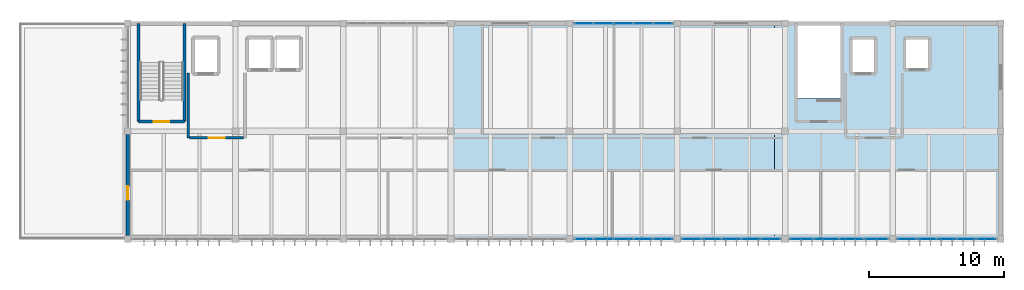
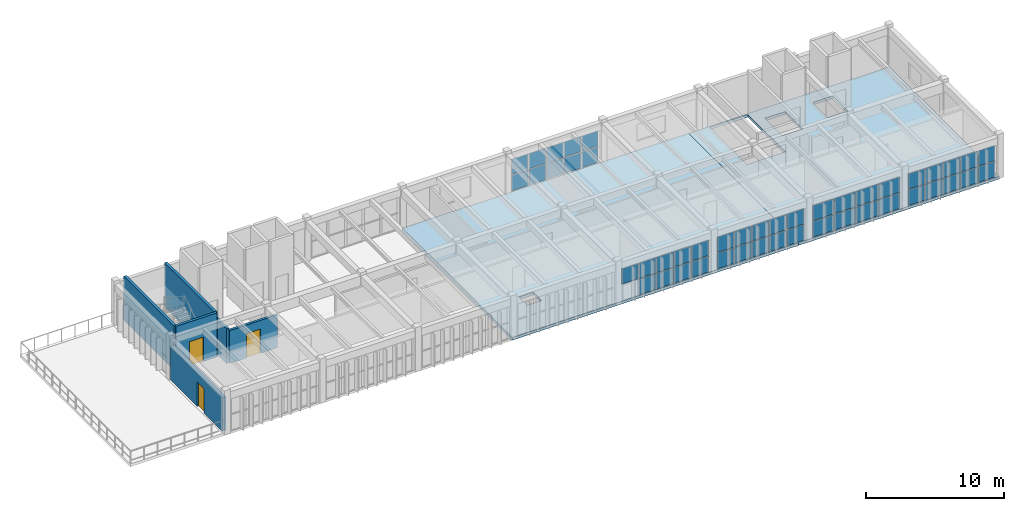
# One storey, part 8 of 12: 47 plates, 6 walls, 3 doors, 2 slabs, 3 openings, 5 elements without a shape of their own.
"""IFC4 building model written with IfcOpenShell, lengths in metres."""

from ifc_helpers import new_model, si_unit, direction, frame, frame_2d, origin, origin_2d, place, context, subcontext, project, spatial, polyline, rectangle, outline, extrude, material, layer, layer_set, type_object, element, fill, aggregate, save


model = new_model("IFC4")

# Units and contexts
model_context = context("Model", 3, precision=1e-05, world=origin(), true_north=direction((0.0, 1.0)))
body_context = subcontext(model_context, "Body", "Model", "MODEL_VIEW")
ifc_project = project(units=[si_unit("LENGTHUNIT", "METRE"), si_unit("AREAUNIT", "SQUARE_METRE"), si_unit("VOLUMEUNIT", "CUBIC_METRE"), si_unit("PLANEANGLEUNIT", "RADIAN"), si_unit("MASSUNIT", "GRAM", prefix="KILO")], contexts=[model_context])

# Site, building, storey
site_placement = place(None, origin())
site = spatial("IfcSite", under=ifc_project, at=site_placement, CompositionType="ELEMENT")
building_placement = place(site_placement, origin())
building = spatial("IfcBuilding", under=site, at=building_placement, Name="Tlaxcora Railside Police Headquarters", CompositionType="ELEMENT")
storey_placement = place(building_placement, frame((0.0, 0.0, 29.699951171875)))
storey = spatial("IfcBuildingStorey", under=building, at=storey_placement, Name="L07", CompositionType="ELEMENT", Elevation=29.699951171875)

# Curtain wall, plates
ifc_material_1 = material(Name="Thermally broken low-E insulated glazing", Category="glass")
curtain_wall_type_1 = type_object("IfcCurtainWallType", Name="Unitised Curtain Wall Assembly CW-23", PredefinedType="NOTDEFINED", material=ifc_material_1)
curtain_wall_1_placement = place(storey_placement, origin())
curtain_wall_1 = element("IfcCurtainWall", 1, at=curtain_wall_1_placement, inside=storey, type_object=curtain_wall_type_1, Name="V5 L07 curtain wall 140", PredefinedType="NOTDEFINED")
ifc_layer_1 = layer(ifc_material_1, 0.0400390625, Name="Thermally broken low-E insulated glazing")
ifc_layer_set_1 = layer_set([ifc_layer_1], Name="Thermally broken low-E insulated glazing")
plate_type_1 = type_object("IfcPlateType", Name="Curtain Wall Infill Panel CW-17", PredefinedType="CURTAIN_PANEL", material=ifc_layer_set_1)
plate_1_placement = place(storey_placement, frame((79.06005859375, 76.800048828125, 0.080078125), z_axis=(0.0, 0.0, 1.0), x_axis=(1.0, 0.0, 0.0)))
plate_1 = element("IfcPlate", 2, at=plate_1_placement, type_object=plate_type_1, Name="CW panel 1.1", PredefinedType="CURTAIN_PANEL", context=body_context, shape_type="SweptSolid", body=[
    extrude(rectangle(XDim=1.360107421875, YDim=0.0400390625, at=origin_2d()), origin(), (0.0, 0.0, 1.0), 1.3701171875),
])
plate_2_placement = place(storey_placement, frame((79.06005859375, 76.800048828125, 1.530029296875), z_axis=(0.0, 0.0, 1.0), x_axis=(1.0, 0.0, 0.0)))
plate_2 = element("IfcPlate", 3, at=plate_2_placement, type_object=plate_type_1, Name="CW panel 1.2", PredefinedType="CURTAIN_PANEL", context=body_context, shape_type="SweptSolid", body=[
    extrude(rectangle(XDim=1.360107421875, YDim=0.0400390625, at=origin_2d()), origin(), (0.0, 0.0, 1.0), 1.35009765625),
])
plate_3_placement = place(storey_placement, frame((80.52001953125, 76.800048828125, 0.080078125), z_axis=(0.0, 0.0, 1.0), x_axis=(1.0, 0.0, 0.0)))
plate_3 = element("IfcPlate", 4, at=plate_3_placement, type_object=plate_type_1, Name="CW panel 2.1", PredefinedType="CURTAIN_PANEL", context=body_context, shape_type="SweptSolid", body=[
    extrude(rectangle(XDim=1.39990234375, YDim=0.0400390625, at=origin_2d()), origin(), (0.0, 0.0, 1.0), 1.3701171875),
])
plate_4_placement = place(storey_placement, frame((80.52001953125, 76.800048828125, 1.530029296875), z_axis=(0.0, 0.0, 1.0), x_axis=(1.0, 0.0, 0.0)))
plate_4 = element("IfcPlate", 5, at=plate_4_placement, type_object=plate_type_1, Name="CW panel 2.2", PredefinedType="CURTAIN_PANEL", context=body_context, shape_type="SweptSolid", body=[
    extrude(rectangle(XDim=1.39990234375, YDim=0.0400390625, at=origin_2d()), origin(), (0.0, 0.0, 1.0), 1.35009765625),
])
plate_5_placement = place(storey_placement, frame((82.0, 76.800048828125, 0.080078125), z_axis=(0.0, 0.0, 1.0), x_axis=(1.0, 0.0, 0.0)))
plate_5 = element("IfcPlate", 6, at=plate_5_placement, type_object=plate_type_1, Name="CW panel 3.1", PredefinedType="CURTAIN_PANEL", context=body_context, shape_type="SweptSolid", body=[
    extrude(rectangle(XDim=1.39990234375, YDim=0.0400390625, at=origin_2d()), origin(), (0.0, 0.0, 1.0), 1.3701171875),
])
plate_6_placement = place(storey_placement, frame((82.0, 76.800048828125, 1.530029296875), z_axis=(0.0, 0.0, 1.0), x_axis=(1.0, 0.0, 0.0)))
plate_6 = element("IfcPlate", 7, at=plate_6_placement, type_object=plate_type_1, Name="CW panel 3.2", PredefinedType="CURTAIN_PANEL", context=body_context, shape_type="SweptSolid", body=[
    extrude(rectangle(XDim=1.39990234375, YDim=0.0400390625, at=origin_2d()), origin(), (0.0, 0.0, 1.0), 1.35009765625),
])
plate_7_placement = place(storey_placement, frame((83.47998046875, 76.800048828125, 0.080078125), z_axis=(0.0, 0.0, 1.0), x_axis=(1.0, 0.0, 0.0)))
plate_7 = element("IfcPlate", 8, at=plate_7_placement, type_object=plate_type_1, Name="CW panel 4.1", PredefinedType="CURTAIN_PANEL", context=body_context, shape_type="SweptSolid", body=[
    extrude(rectangle(XDim=1.39990234375, YDim=0.0400390625, at=origin_2d()), origin(), (0.0, 0.0, 1.0), 1.3701171875),
])
plate_8_placement = place(storey_placement, frame((83.47998046875, 76.800048828125, 1.530029296875), z_axis=(0.0, 0.0, 1.0), x_axis=(1.0, 0.0, 0.0)))
plate_8 = element("IfcPlate", 9, at=plate_8_placement, type_object=plate_type_1, Name="CW panel 4.2", PredefinedType="CURTAIN_PANEL", context=body_context, shape_type="SweptSolid", body=[
    extrude(rectangle(XDim=1.39990234375, YDim=0.0400390625, at=origin_2d()), origin(), (0.0, 0.0, 1.0), 1.35009765625),
])
plate_9_placement = place(storey_placement, frame((84.93994140625, 76.800048828125, 0.080078125), z_axis=(0.0, 0.0, 1.0), x_axis=(1.0, 0.0, 0.0)))
plate_9 = element("IfcPlate", 10, at=plate_9_placement, type_object=plate_type_1, Name="CW panel 5.1", PredefinedType="CURTAIN_PANEL", context=body_context, shape_type="SweptSolid", body=[
    extrude(rectangle(XDim=1.360107421875, YDim=0.0400390625, at=origin_2d()), origin(), (0.0, 0.0, 1.0), 1.3701171875),
])
plate_10_placement = place(storey_placement, frame((84.93994140625, 76.800048828125, 1.530029296875), z_axis=(0.0, 0.0, 1.0), x_axis=(1.0, 0.0, 0.0)))
plate_10 = element("IfcPlate", 11, at=plate_10_placement, type_object=plate_type_1, Name="CW panel 5.2", PredefinedType="CURTAIN_PANEL", context=body_context, shape_type="SweptSolid", body=[
    extrude(rectangle(XDim=1.360107421875, YDim=0.0400390625, at=origin_2d()), origin(), (0.0, 0.0, 1.0), 1.35009765625),
])
aggregate(curtain_wall_1, [plate_1, plate_2, plate_3, plate_4, plate_5, plate_6, plate_7, plate_8, plate_9, plate_10])

curtain_wall_type_2 = type_object("IfcCurtainWallType", Name="Unitised Curtain Wall Assembly CW-15", PredefinedType="NOTDEFINED", material=ifc_material_1)
curtain_wall_2_placement = place(storey_placement, origin())
curtain_wall_2 = element("IfcCurtainWall", 12, at=curtain_wall_2_placement, inside=storey, type_object=curtain_wall_type_2, Name="V5 L07 curtain wall 138", PredefinedType="NOTDEFINED")
ifc_layer_2 = layer(ifc_material_1, 0.031982421875, Name="Thermally broken low-E insulated glazing")
ifc_layer_set_2 = layer_set([ifc_layer_2], Name="Thermally broken low-E insulated glazing")
plate_type_2 = type_object("IfcPlateType", Name="Curtain Wall Infill Panel CW-41", PredefinedType="CURTAIN_PANEL", material=ifc_layer_set_2)
plate_11_placement = place(storey_placement, frame((63.058837890625, 76.800048828125, 0.0751953125), z_axis=(0.0, 0.0, 1.0), x_axis=(1.0, 0.0, 0.0)))
plate_11 = element("IfcPlate", 13, at=plate_11_placement, type_object=plate_type_2, Name="CW panel 1.1", PredefinedType="CURTAIN_PANEL", context=body_context, shape_type="SweptSolid", body=[
    extrude(rectangle(XDim=1.367431640625, YDim=0.031982421875, at=origin_2d()), origin(), (0.0, 0.0, 1.0), 1.37744140625),
])
plate_12_placement = place(storey_placement, frame((63.058837890625, 76.800048828125, 1.527587890625), z_axis=(0.0, 0.0, 1.0), x_axis=(1.0, 0.0, 0.0)))
plate_12 = element("IfcPlate", 14, at=plate_12_placement, type_object=plate_type_2, Name="CW panel 1.2", PredefinedType="CURTAIN_PANEL", context=body_context, shape_type="SweptSolid", body=[
    extrude(rectangle(XDim=1.367431640625, YDim=0.031982421875, at=origin_2d()), origin(), (0.0, 0.0, 1.0), 1.357421875),
])
plate_13_placement = place(storey_placement, frame((64.52001953125, 76.800048828125, 0.0751953125), z_axis=(0.0, 0.0, 1.0), x_axis=(1.0, 0.0, 0.0)))
plate_13 = element("IfcPlate", 15, at=plate_13_placement, type_object=plate_type_2, Name="CW panel 2.1", PredefinedType="CURTAIN_PANEL", context=body_context, shape_type="SweptSolid", body=[
    extrude(rectangle(XDim=1.405029296875, YDim=0.031982421875, at=origin_2d()), origin(), (0.0, 0.0, 1.0), 1.37744140625),
])
plate_14_placement = place(storey_placement, frame((64.52001953125, 76.800048828125, 1.527587890625), z_axis=(0.0, 0.0, 1.0), x_axis=(1.0, 0.0, 0.0)))
plate_14 = element("IfcPlate", 16, at=plate_14_placement, type_object=plate_type_2, Name="CW panel 2.2", PredefinedType="CURTAIN_PANEL", context=body_context, shape_type="SweptSolid", body=[
    extrude(rectangle(XDim=1.405029296875, YDim=0.031982421875, at=origin_2d()), origin(), (0.0, 0.0, 1.0), 1.357421875),
])
plate_15_placement = place(storey_placement, frame((66.0, 76.800048828125, 0.0751953125), z_axis=(0.0, 0.0, 1.0), x_axis=(1.0, 0.0, 0.0)))
plate_15 = element("IfcPlate", 17, at=plate_15_placement, type_object=plate_type_2, Name="CW panel 3.1", PredefinedType="CURTAIN_PANEL", context=body_context, shape_type="SweptSolid", body=[
    extrude(rectangle(XDim=1.405029296875, YDim=0.031982421875, at=origin_2d()), origin(), (0.0, 0.0, 1.0), 1.37744140625),
])
plate_16_placement = place(storey_placement, frame((66.0, 76.800048828125, 1.527587890625), z_axis=(0.0, 0.0, 1.0), x_axis=(1.0, 0.0, 0.0)))
plate_16 = element("IfcPlate", 18, at=plate_16_placement, type_object=plate_type_2, Name="CW panel 3.2", PredefinedType="CURTAIN_PANEL", context=body_context, shape_type="SweptSolid", body=[
    extrude(rectangle(XDim=1.405029296875, YDim=0.031982421875, at=origin_2d()), origin(), (0.0, 0.0, 1.0), 1.357421875),
])
plate_17_placement = place(storey_placement, frame((67.47998046875, 76.800048828125, 0.0751953125), z_axis=(0.0, 0.0, 1.0), x_axis=(1.0, 0.0, 0.0)))
plate_17 = element("IfcPlate", 19, at=plate_17_placement, type_object=plate_type_2, Name="CW panel 4.1", PredefinedType="CURTAIN_PANEL", context=body_context, shape_type="SweptSolid", body=[
    extrude(rectangle(XDim=1.405029296875, YDim=0.031982421875, at=origin_2d()), origin(), (0.0, 0.0, 1.0), 1.37744140625),
])
plate_18_placement = place(storey_placement, frame((67.47998046875, 76.800048828125, 1.527587890625), z_axis=(0.0, 0.0, 1.0), x_axis=(1.0, 0.0, 0.0)))
plate_18 = element("IfcPlate", 20, at=plate_18_placement, type_object=plate_type_2, Name="CW panel 4.2", PredefinedType="CURTAIN_PANEL", context=body_context, shape_type="SweptSolid", body=[
    extrude(rectangle(XDim=1.405029296875, YDim=0.031982421875, at=origin_2d()), origin(), (0.0, 0.0, 1.0), 1.357421875),
])
plate_19_placement = place(storey_placement, frame((68.941162109375, 76.800048828125, 0.0751953125), z_axis=(0.0, 0.0, 1.0), x_axis=(1.0, 0.0, 0.0)))
plate_19 = element("IfcPlate", 21, at=plate_19_placement, type_object=plate_type_2, Name="CW panel 5.1", PredefinedType="CURTAIN_PANEL", context=body_context, shape_type="SweptSolid", body=[
    extrude(rectangle(XDim=1.367431640625, YDim=0.031982421875, at=origin_2d()), origin(), (0.0, 0.0, 1.0), 1.37744140625),
])
plate_20_placement = place(storey_placement, frame((68.941162109375, 76.800048828125, 1.527587890625), z_axis=(0.0, 0.0, 1.0), x_axis=(1.0, 0.0, 0.0)))
plate_20 = element("IfcPlate", 22, at=plate_20_placement, type_object=plate_type_2, Name="CW panel 5.2", PredefinedType="CURTAIN_PANEL", context=body_context, shape_type="SweptSolid", body=[
    extrude(rectangle(XDim=1.367431640625, YDim=0.031982421875, at=origin_2d()), origin(), (0.0, 0.0, 1.0), 1.357421875),
])
aggregate(curtain_wall_2, [plate_11, plate_12, plate_13, plate_14, plate_15, plate_16, plate_17, plate_18, plate_19, plate_20])

curtain_wall_type_3 = type_object("IfcCurtainWallType", Name="Unitised Curtain Wall Assembly CW-83", PredefinedType="NOTDEFINED", material=ifc_material_1)
curtain_wall_3_placement = place(storey_placement, origin())
curtain_wall_3 = element("IfcCurtainWall", 23, at=curtain_wall_3_placement, inside=storey, type_object=curtain_wall_type_3, Name="V5 L07 curtain wall 139", PredefinedType="NOTDEFINED")
ifc_layer_3 = layer(ifc_material_1, 0.035888671875, Name="Thermally broken low-E insulated glazing")
ifc_layer_set_3 = layer_set([ifc_layer_3], Name="Thermally broken low-E insulated glazing")
plate_type_3 = type_object("IfcPlateType", Name="Curtain Wall Infill Panel CW-72", PredefinedType="CURTAIN_PANEL", material=ifc_layer_set_3)
plate_21_placement = place(storey_placement, frame((71.2451171875, 76.800048828125, 0.080078125), z_axis=(0.0, 0.0, 1.0), x_axis=(1.0, 0.0, 0.0)))
plate_21 = element("IfcPlate", 24, at=plate_21_placement, type_object=plate_type_3, Name="CW panel 1.1", PredefinedType="CURTAIN_PANEL", context=body_context, shape_type="SweptSolid", body=[
    extrude(rectangle(XDim=1.72998046875, YDim=0.035888671875, at=origin_2d()), origin(), (0.0, 0.0, 1.0), 1.3701171875),
])
plate_22_placement = place(storey_placement, frame((71.2451171875, 76.800048828125, 1.530029296875), z_axis=(0.0, 0.0, 1.0), x_axis=(1.0, 0.0, 0.0)))
plate_22 = element("IfcPlate", 25, at=plate_22_placement, type_object=plate_type_3, Name="CW panel 1.2", PredefinedType="CURTAIN_PANEL", context=body_context, shape_type="SweptSolid", body=[
    extrude(rectangle(XDim=1.72998046875, YDim=0.035888671875, at=origin_2d()), origin(), (0.0, 0.0, 1.0), 1.35009765625),
])
plate_23_placement = place(storey_placement, frame((73.074951171875, 76.800048828125, 0.080078125), z_axis=(0.0, 0.0, 1.0), x_axis=(1.0, 0.0, 0.0)))
plate_23 = element("IfcPlate", 26, at=plate_23_placement, type_object=plate_type_3, Name="CW panel 2.1", PredefinedType="CURTAIN_PANEL", context=body_context, shape_type="SweptSolid", body=[
    extrude(rectangle(XDim=1.77001953125, YDim=0.035888671875, at=origin_2d()), origin(), (0.0, 0.0, 1.0), 1.3701171875),
])
plate_24_placement = place(storey_placement, frame((73.074951171875, 76.800048828125, 1.530029296875), z_axis=(0.0, 0.0, 1.0), x_axis=(1.0, 0.0, 0.0)))
plate_24 = element("IfcPlate", 27, at=plate_24_placement, type_object=plate_type_3, Name="CW panel 2.2", PredefinedType="CURTAIN_PANEL", context=body_context, shape_type="SweptSolid", body=[
    extrude(rectangle(XDim=1.77001953125, YDim=0.035888671875, at=origin_2d()), origin(), (0.0, 0.0, 1.0), 1.35009765625),
])
plate_25_placement = place(storey_placement, frame((74.925048828125, 76.800048828125, 0.080078125), z_axis=(0.0, 0.0, 1.0), x_axis=(1.0, 0.0, 0.0)))
plate_25 = element("IfcPlate", 28, at=plate_25_placement, type_object=plate_type_3, Name="CW panel 3.1", PredefinedType="CURTAIN_PANEL", context=body_context, shape_type="SweptSolid", body=[
    extrude(rectangle(XDim=1.77001953125, YDim=0.035888671875, at=origin_2d()), origin(), (0.0, 0.0, 1.0), 1.3701171875),
])
plate_26_placement = place(storey_placement, frame((74.925048828125, 76.800048828125, 1.530029296875), z_axis=(0.0, 0.0, 1.0), x_axis=(1.0, 0.0, 0.0)))
plate_26 = element("IfcPlate", 29, at=plate_26_placement, type_object=plate_type_3, Name="CW panel 3.2", PredefinedType="CURTAIN_PANEL", context=body_context, shape_type="SweptSolid", body=[
    extrude(rectangle(XDim=1.77001953125, YDim=0.035888671875, at=origin_2d()), origin(), (0.0, 0.0, 1.0), 1.35009765625),
])
plate_27_placement = place(storey_placement, frame((76.7548828125, 76.800048828125, 0.080078125), z_axis=(0.0, 0.0, 1.0), x_axis=(1.0, 0.0, 0.0)))
plate_27 = element("IfcPlate", 30, at=plate_27_placement, type_object=plate_type_3, Name="CW panel 4.1", PredefinedType="CURTAIN_PANEL", context=body_context, shape_type="SweptSolid", body=[
    extrude(rectangle(XDim=1.72998046875, YDim=0.035888671875, at=origin_2d()), origin(), (0.0, 0.0, 1.0), 1.3701171875),
])
plate_28_placement = place(storey_placement, frame((76.7548828125, 76.800048828125, 1.530029296875), z_axis=(0.0, 0.0, 1.0), x_axis=(1.0, 0.0, 0.0)))
plate_28 = element("IfcPlate", 31, at=plate_28_placement, type_object=plate_type_3, Name="CW panel 4.2", PredefinedType="CURTAIN_PANEL", context=body_context, shape_type="SweptSolid", body=[
    extrude(rectangle(XDim=1.72998046875, YDim=0.035888671875, at=origin_2d()), origin(), (0.0, 0.0, 1.0), 1.35009765625),
])
aggregate(curtain_wall_3, [plate_21, plate_22, plate_23, plate_24, plate_25, plate_26, plate_27, plate_28])

curtain_wall_type_4 = type_object("IfcCurtainWallType", Name="Unitised Curtain Wall Assembly CW-38", PredefinedType="NOTDEFINED", material=ifc_material_1)
curtain_wall_4_placement = place(storey_placement, origin())
curtain_wall_4 = element("IfcCurtainWall", 32, at=curtain_wall_4_placement, inside=storey, type_object=curtain_wall_type_4, Name="V5 L07 curtain wall 137", PredefinedType="NOTDEFINED")
ifc_layer_4 = layer(ifc_material_1, 0.028076171875, Name="Thermally broken low-E insulated glazing")
ifc_layer_set_4 = layer_set([ifc_layer_4], Name="Thermally broken low-E insulated glazing")
plate_type_4 = type_object("IfcPlateType", Name="Curtain Wall Infill Panel CW-92", PredefinedType="CURTAIN_PANEL", material=ifc_layer_set_4)
plate_29_placement = place(storey_placement, frame((55.058837890625, 76.800048828125, 1.527587890625), z_axis=(0.0, 0.0, 1.0), x_axis=(1.0, 0.0, 0.0)))
plate_29 = element("IfcPlate", 33, at=plate_29_placement, type_object=plate_type_4, Name="CW panel 1.2", PredefinedType="CURTAIN_PANEL", context=body_context, shape_type="SweptSolid", body=[
    extrude(rectangle(XDim=1.367431640625, YDim=0.028076171875, at=origin_2d()), origin(), (0.0, 0.0, 1.0), 1.357421875),
])
plate_30_placement = place(storey_placement, frame((56.52001953125, 76.800048828125, 0.0751953125), z_axis=(0.0, 0.0, 1.0), x_axis=(1.0, 0.0, 0.0)))
plate_30 = element("IfcPlate", 34, at=plate_30_placement, type_object=plate_type_4, Name="CW panel 2.1", PredefinedType="CURTAIN_PANEL", context=body_context, shape_type="SweptSolid", body=[
    extrude(rectangle(XDim=1.405029296875, YDim=0.028076171875, at=origin_2d()), origin(), (0.0, 0.0, 1.0), 1.37744140625),
])
plate_31_placement = place(storey_placement, frame((56.52001953125, 76.800048828125, 1.527587890625), z_axis=(0.0, 0.0, 1.0), x_axis=(1.0, 0.0, 0.0)))
plate_31 = element("IfcPlate", 35, at=plate_31_placement, type_object=plate_type_4, Name="CW panel 2.2", PredefinedType="CURTAIN_PANEL", context=body_context, shape_type="SweptSolid", body=[
    extrude(rectangle(XDim=1.405029296875, YDim=0.028076171875, at=origin_2d()), origin(), (0.0, 0.0, 1.0), 1.357421875),
])
plate_32_placement = place(storey_placement, frame((58.0, 76.800048828125, 0.0751953125), z_axis=(0.0, 0.0, 1.0), x_axis=(1.0, 0.0, 0.0)))
plate_32 = element("IfcPlate", 36, at=plate_32_placement, type_object=plate_type_4, Name="CW panel 3.1", PredefinedType="CURTAIN_PANEL", context=body_context, shape_type="SweptSolid", body=[
    extrude(rectangle(XDim=1.405029296875, YDim=0.028076171875, at=origin_2d()), origin(), (0.0, 0.0, 1.0), 1.37744140625),
])
plate_33_placement = place(storey_placement, frame((58.0, 76.800048828125, 1.527587890625), z_axis=(0.0, 0.0, 1.0), x_axis=(1.0, 0.0, 0.0)))
plate_33 = element("IfcPlate", 37, at=plate_33_placement, type_object=plate_type_4, Name="CW panel 3.2", PredefinedType="CURTAIN_PANEL", context=body_context, shape_type="SweptSolid", body=[
    extrude(rectangle(XDim=1.405029296875, YDim=0.028076171875, at=origin_2d()), origin(), (0.0, 0.0, 1.0), 1.357421875),
])
plate_34_placement = place(storey_placement, frame((59.47998046875, 76.800048828125, 0.0751953125), z_axis=(0.0, 0.0, 1.0), x_axis=(1.0, 0.0, 0.0)))
plate_34 = element("IfcPlate", 38, at=plate_34_placement, type_object=plate_type_4, Name="CW panel 4.1", PredefinedType="CURTAIN_PANEL", context=body_context, shape_type="SweptSolid", body=[
    extrude(rectangle(XDim=1.405029296875, YDim=0.028076171875, at=origin_2d()), origin(), (0.0, 0.0, 1.0), 1.37744140625),
])
plate_35_placement = place(storey_placement, frame((59.47998046875, 76.800048828125, 1.527587890625), z_axis=(0.0, 0.0, 1.0), x_axis=(1.0, 0.0, 0.0)))
plate_35 = element("IfcPlate", 39, at=plate_35_placement, type_object=plate_type_4, Name="CW panel 4.2", PredefinedType="CURTAIN_PANEL", context=body_context, shape_type="SweptSolid", body=[
    extrude(rectangle(XDim=1.405029296875, YDim=0.028076171875, at=origin_2d()), origin(), (0.0, 0.0, 1.0), 1.357421875),
])
plate_36_placement = place(storey_placement, frame((60.941162109375, 76.800048828125, 0.0751953125), z_axis=(0.0, 0.0, 1.0), x_axis=(1.0, 0.0, 0.0)))
plate_36 = element("IfcPlate", 40, at=plate_36_placement, type_object=plate_type_4, Name="CW panel 5.1", PredefinedType="CURTAIN_PANEL", context=body_context, shape_type="SweptSolid", body=[
    extrude(rectangle(XDim=1.367431640625, YDim=0.028076171875, at=origin_2d()), origin(), (0.0, 0.0, 1.0), 1.37744140625),
])
plate_37_placement = place(storey_placement, frame((60.941162109375, 76.800048828125, 1.527587890625), z_axis=(0.0, 0.0, 1.0), x_axis=(1.0, 0.0, 0.0)))
plate_37 = element("IfcPlate", 41, at=plate_37_placement, type_object=plate_type_4, Name="CW panel 5.2", PredefinedType="CURTAIN_PANEL", context=body_context, shape_type="SweptSolid", body=[
    extrude(rectangle(XDim=1.367431640625, YDim=0.028076171875, at=origin_2d()), origin(), (0.0, 0.0, 1.0), 1.357421875),
])
aggregate(curtain_wall_4, [plate_29, plate_30, plate_31, plate_32, plate_33, plate_34, plate_35, plate_36, plate_37])

curtain_wall_5_placement = place(storey_placement, origin())
curtain_wall_5 = element("IfcCurtainWall", 42, at=curtain_wall_5_placement, inside=storey, type_object=curtain_wall_type_4, Name="V5 L07 curtain wall 141", PredefinedType="NOTDEFINED")
plate_38_placement = place(storey_placement, frame((60.941162109375, 92.800048828125, 0.0751953125), z_axis=(0.0, 0.0, 1.0), x_axis=(-1.0, 0.0, 0.0)))
plate_38 = element("IfcPlate", 43, at=plate_38_placement, type_object=plate_type_4, Name="CW panel 1.1", PredefinedType="CURTAIN_PANEL", context=body_context, shape_type="SweptSolid", body=[
    extrude(rectangle(XDim=1.367431640625, YDim=0.028076171875, at=origin_2d()), origin(), (0.0, 0.0, 1.0), 1.37744140625),
])
plate_39_placement = place(storey_placement, frame((60.941162109375, 92.800048828125, 1.527587890625), z_axis=(0.0, 0.0, 1.0), x_axis=(-1.0, 0.0, 0.0)))
plate_39 = element("IfcPlate", 44, at=plate_39_placement, type_object=plate_type_4, Name="CW panel 1.2", PredefinedType="CURTAIN_PANEL", context=body_context, shape_type="SweptSolid", body=[
    extrude(rectangle(XDim=1.367431640625, YDim=0.028076171875, at=origin_2d()), origin(), (0.0, 0.0, 1.0), 1.357421875),
])
plate_40_placement = place(storey_placement, frame((59.47998046875, 92.800048828125, 0.0751953125), z_axis=(0.0, 0.0, 1.0), x_axis=(-1.0, 0.0, 0.0)))
plate_40 = element("IfcPlate", 45, at=plate_40_placement, type_object=plate_type_4, Name="CW panel 2.1", PredefinedType="CURTAIN_PANEL", context=body_context, shape_type="SweptSolid", body=[
    extrude(rectangle(XDim=1.405029296875, YDim=0.028076171875, at=origin_2d()), origin(), (0.0, 0.0, 1.0), 1.37744140625),
])
plate_41_placement = place(storey_placement, frame((59.47998046875, 92.800048828125, 1.527587890625), z_axis=(0.0, 0.0, 1.0), x_axis=(-1.0, 0.0, 0.0)))
plate_41 = element("IfcPlate", 46, at=plate_41_placement, type_object=plate_type_4, Name="CW panel 2.2", PredefinedType="CURTAIN_PANEL", context=body_context, shape_type="SweptSolid", body=[
    extrude(rectangle(XDim=1.405029296875, YDim=0.028076171875, at=origin_2d()), origin(), (0.0, 0.0, 1.0), 1.357421875),
])
plate_42_placement = place(storey_placement, frame((58.0, 92.800048828125, 0.0751953125), z_axis=(0.0, 0.0, 1.0), x_axis=(-1.0, 0.0, 0.0)))
plate_42 = element("IfcPlate", 47, at=plate_42_placement, type_object=plate_type_4, Name="CW panel 3.1", PredefinedType="CURTAIN_PANEL", context=body_context, shape_type="SweptSolid", body=[
    extrude(rectangle(XDim=1.405029296875, YDim=0.028076171875, at=origin_2d()), origin(), (0.0, 0.0, 1.0), 1.37744140625),
])
plate_43_placement = place(storey_placement, frame((58.0, 92.800048828125, 1.527587890625), z_axis=(0.0, 0.0, 1.0), x_axis=(-1.0, 0.0, 0.0)))
plate_43 = element("IfcPlate", 48, at=plate_43_placement, type_object=plate_type_4, Name="CW panel 3.2", PredefinedType="CURTAIN_PANEL", context=body_context, shape_type="SweptSolid", body=[
    extrude(rectangle(XDim=1.405029296875, YDim=0.028076171875, at=origin_2d()), origin(), (0.0, 0.0, 1.0), 1.357421875),
])
plate_44_placement = place(storey_placement, frame((56.52001953125, 92.800048828125, 0.0751953125), z_axis=(0.0, 0.0, 1.0), x_axis=(-1.0, 0.0, 0.0)))
plate_44 = element("IfcPlate", 49, at=plate_44_placement, type_object=plate_type_4, Name="CW panel 4.1", PredefinedType="CURTAIN_PANEL", context=body_context, shape_type="SweptSolid", body=[
    extrude(rectangle(XDim=1.405029296875, YDim=0.028076171875, at=origin_2d()), origin(), (0.0, 0.0, 1.0), 1.37744140625),
])
plate_45_placement = place(storey_placement, frame((56.52001953125, 92.800048828125, 1.527587890625), z_axis=(0.0, 0.0, 1.0), x_axis=(-1.0, 0.0, 0.0)))
plate_45 = element("IfcPlate", 50, at=plate_45_placement, type_object=plate_type_4, Name="CW panel 4.2", PredefinedType="CURTAIN_PANEL", context=body_context, shape_type="SweptSolid", body=[
    extrude(rectangle(XDim=1.405029296875, YDim=0.028076171875, at=origin_2d()), origin(), (0.0, 0.0, 1.0), 1.357421875),
])
plate_46_placement = place(storey_placement, frame((55.058837890625, 92.800048828125, 0.0751953125), z_axis=(0.0, 0.0, 1.0), x_axis=(-1.0, 0.0, 0.0)))
plate_46 = element("IfcPlate", 51, at=plate_46_placement, type_object=plate_type_4, Name="CW panel 5.1", PredefinedType="CURTAIN_PANEL", context=body_context, shape_type="SweptSolid", body=[
    extrude(rectangle(XDim=1.367431640625, YDim=0.028076171875, at=origin_2d()), origin(), (0.0, 0.0, 1.0), 1.37744140625),
])
plate_47_placement = place(storey_placement, frame((55.058837890625, 92.800048828125, 1.527587890625), z_axis=(0.0, 0.0, 1.0), x_axis=(-1.0, 0.0, 0.0)))
plate_47 = element("IfcPlate", 52, at=plate_47_placement, type_object=plate_type_4, Name="CW panel 5.2", PredefinedType="CURTAIN_PANEL", context=body_context, shape_type="SweptSolid", body=[
    extrude(rectangle(XDim=1.367431640625, YDim=0.028076171875, at=origin_2d()), origin(), (0.0, 0.0, 1.0), 1.357421875),
])
aggregate(curtain_wall_5, [plate_38, plate_39, plate_40, plate_41, plate_42, plate_43, plate_44, plate_45, plate_46, plate_47])

# Slabs
ifc_material_2 = material(Name="Concrete C35/45", Category="concrete")
ifc_layer_5 = layer(ifc_material_2, 0.239990234375, Name="Concrete C35/45")
ifc_layer_set_5 = layer_set([ifc_layer_5], Name="Concrete C35/45")
slab_type = type_object("IfcSlabType", Name="Suspended Floor Slab SL-49", PredefinedType="FLOOR", material=ifc_layer_set_5)
slab_1_placement = place(storey_placement, frame((0.0, 0.0, -0.239990234375)))
element("IfcSlab", 53, at=slab_1_placement, inside=storey, type_object=slab_type, Name="V5 L07 floor slab zone 2", PredefinedType="FLOOR", context=body_context, shape_type="SweptSolid", body=[
    extrude(outline(polyline([(69.199951171875, 76.800048828125), (69.199951171875, 92.800048828125), (45.199951171875, 92.800048828125), (45.199951171875, 76.800048828125), (69.199951171875, 76.800048828125)]), holes=[polyline([(49.39990234375, 79.800048828125), (48.199951171875, 79.800048828125), (48.199951171875, 81.0), (49.39990234375, 81.0), (49.39990234375, 79.800048828125)])]), origin(), (0.0, 0.0, 1.0), 0.239990234375),
])
slab_2_placement = place(storey_placement, frame((0.0, 0.0, -0.239990234375)))
element("IfcSlab", 54, at=slab_2_placement, inside=storey, type_object=slab_type, Name="V5 L07 floor slab zone 3", PredefinedType="FLOOR", context=body_context, shape_type="SweptSolid", body=[
    extrude(outline(polyline([(86.0, 92.800048828125), (69.199951171875, 92.800048828125), (69.199951171875, 76.800048828125), (86.0, 76.800048828125), (86.0, 92.800048828125)]), holes=[polyline([(70.909912109375, 92.68994140625), (74.110107421875, 92.68994140625), (74.110107421875, 87.25), (70.909912109375, 87.25), (70.909912109375, 92.68994140625)]), polyline([(76.64990234375, 91.64990234375), (76.64990234375, 89.14990234375), (74.949951171875, 89.14990234375), (74.949951171875, 91.64990234375), (76.64990234375, 91.64990234375)]), polyline([(80.64990234375, 89.449951171875), (78.949951171875, 89.449951171875), (78.949951171875, 91.64990234375), (80.64990234375, 91.64990234375), (80.64990234375, 89.449951171875)])]), origin(), (0.0, 0.0, 1.0), 0.239990234375),
])

# Wall, opening, door
ifc_material_3 = material(Name="Pressed clay brick masonry", Category="masonry")
ifc_layer_6 = layer(ifc_material_3, 0.199951171875, Name="Pressed clay brick masonry")
ifc_layer_set_6 = layer_set([ifc_layer_6], Name="Pressed clay brick masonry")
wall_type_1 = type_object("IfcWallType", Name="Interior Partition Wall IW-60", PredefinedType="PARTITIONING", material=ifc_layer_set_6)
wall_1_placement = place(storey_placement, frame((25.800048828125, 84.300048828125, 0.0), z_axis=(0.0, 0.0, 1.0), x_axis=(1.0, 0.0, 0.0)))
wall_1 = element("IfcWall", 55, at=wall_1_placement, inside=storey, type_object=wall_type_1, Name="V5 L07 interior partition 249", PredefinedType="PARTITIONING", context=body_context, shape_type="SweptSolid", body=[
    extrude(rectangle(XDim=4.0, YDim=0.199951171875, at=frame_2d((2.0, 0.0))), origin(), (0.0, 0.0, 1.0), 2.9150390625),
])
opening_1_placement = place(wall_1_placement, frame((1.39990234375, 0.0, 0.0)))
opening_1 = element("IfcOpeningElement", 56, at=opening_1_placement, cuts=wall_1, Name="Opening D-L07-265", PredefinedType="OPENING", context=body_context, shape_type="SweptSolid", body=[
    extrude(rectangle(XDim=1.199951171875, YDim=2.14990234375, at=frame_2d((0.60009765625, 1.074951171875))), frame((0.0, 0.10986328125, 0.0), z_axis=(0.0, -1.0, 0.0), x_axis=(1.0, 0.0, 0.0)), (0.0, 0.0, 1.0), 0.219970703125),
])
ifc_material_4 = material(Name="Steel ASTM A992 Grade 50", Category="steel")
door_type_1 = type_object("IfcDoorType", Name="Swing or Sliding Personnel Door ID-14", OperationType="NOTDEFINED", PredefinedType="DOOR", material=ifc_material_4)
door_1_placement = place(opening_1_placement, origin())
door_1 = element("IfcDoor", 57, at=door_1_placement, inside=storey, type_object=door_type_1, Name="V5 L07 door D-L07-265", OperationType="DOUBLE_DOOR_SINGLE_SWING", OverallHeight=2.14990234375, OverallWidth=1.199951171875, PredefinedType="DOOR", context=body_context, shape_type="SweptSolid", body=[
    extrude(rectangle(XDim=1.199951171875, YDim=2.14990234375, at=frame_2d((0.60009765625, 1.074951171875))), frame((0.0, 0.02490234375, 0.0), z_axis=(0.0, -1.0, 0.0), x_axis=(1.0, 0.0, 0.0)), (0.0, 0.0, 1.0), 0.050048828125),
])
fill(opening_1, door_1)

# Wall
wall_2_placement = place(storey_placement, frame((25.699951171875, 84.300048828125, 0.0), z_axis=(0.0, 0.0, 1.0), x_axis=(0.0, 1.0, 0.0)))
element("IfcWall", 58, at=wall_2_placement, inside=storey, type_object=wall_type_1, Name="V5 L07 interior partition 250", PredefinedType="PARTITIONING", context=body_context, shape_type="SweptSolid", body=[
    extrude(rectangle(XDim=4.800048828125, YDim=0.199951171875, at=frame_2d((2.39990234375, 0.0))), origin(), (0.0, 0.0, 1.0), 3.06494140625),
])

# Wall, opening, door
ifc_material_5 = material(Name="Concrete C40/50", Category="concrete")
ifc_layer_7 = layer(ifc_material_5, 0.219970703125, Name="Concrete C40/50")
ifc_layer_set_7 = layer_set([ifc_layer_7], Name="Concrete C40/50")
wall_type_2 = type_object("IfcWallType", Name="Shear Core Wall IW-35", PredefinedType="SHEAR", material=ifc_layer_set_7)
wall_3_placement = place(storey_placement, frame((22.0, 85.5, 0.0), z_axis=(0.0, 0.0, 1.0), x_axis=(1.0, 0.0, 0.0)))
wall_3 = element("IfcWall", 59, at=wall_3_placement, inside=storey, type_object=wall_type_2, Name="CORE-C1 L07 stair core wall S", PredefinedType="SHEAR", context=body_context, shape_type="SweptSolid", body=[
    extrude(rectangle(XDim=3.419921875, YDim=0.219970703125, at=frame_2d((1.7099609375, 0.0))), origin(), (0.0, 0.0, 1.0), 3.900146484375),
])
opening_2_placement = place(wall_3_placement, frame((1.135009765625, 0.0, 0.0)))
opening_2 = element("IfcOpeningElement", 60, at=opening_2_placement, cuts=wall_3, Name="Opening SD-L07-009", PredefinedType="OPENING", context=body_context, shape_type="SweptSolid", body=[
    extrude(rectangle(XDim=1.14990234375, YDim=2.14990234375, at=frame_2d((0.574951171875, 1.074951171875))), frame((0.0, 0.1201171875, 0.0), z_axis=(0.0, -1.0, 0.0), x_axis=(1.0, 0.0, 0.0)), (0.0, 0.0, 1.0), 0.239990234375),
])
door_type_2 = type_object("IfcDoorType", Name="Swing or Sliding Personnel Door ID-73", OperationType="NOTDEFINED", PredefinedType="DOOR", material=ifc_material_4)
door_2_placement = place(opening_2_placement, origin())
door_2 = element("IfcDoor", 61, at=door_2_placement, inside=storey, type_object=door_type_2, Name="Stair ST1 L07 enclosure fire door", OperationType="SINGLE_SWING_LEFT", OverallHeight=2.14990234375, OverallWidth=1.14990234375, PredefinedType="DOOR", context=body_context, shape_type="SweptSolid", body=[
    extrude(rectangle(XDim=1.14990234375, YDim=2.14990234375, at=frame_2d((0.574951171875, 1.074951171875))), frame((0.0, 0.02490234375, 0.0), z_axis=(0.0, -1.0, 0.0), x_axis=(1.0, 0.0, 0.0)), (0.0, 0.0, 1.0), 0.050048828125),
])
fill(opening_2, door_2)

# Walls
for number, where, z_axis, x_axis, name in (
    (62, (25.419921875, 85.5, 0.0), (0.0, 0.0, 1.0), (0.0, 1.0, 0.0), "CORE-C1 L07 stair core wall E"),
    (63, (22.0, 92.800048828125, 0.0), (0.0, 0.0, 1.0), (0.0, -1.0, 0.0), "CORE-C1 L07 stair core wall W"),
):
    element("IfcWall", number, at=place(storey_placement, frame(where, z_axis=z_axis, x_axis=x_axis)), inside=storey, type_object=wall_type_2, Name=name, PredefinedType="SHEAR", context=body_context, shape_type="SweptSolid", body=[
        extrude(rectangle(XDim=7.300048828125, YDim=0.219970703125, at=frame_2d((3.64990234375, 0.0))), origin(), (0.0, 0.0, 1.0), 3.900146484375),
    ])

# Wall, opening, door
ifc_layer_8 = layer(ifc_material_3, 0.294921875, Name="Pressed clay brick masonry")
ifc_layer_set_8 = layer_set([ifc_layer_8], Name="Pressed clay brick masonry")
wall_type_3 = type_object("IfcWallType", Name="Structural Bearing Wall EW-74", PredefinedType="SOLIDWALL", material=ifc_layer_set_8)
wall_4_placement = place(storey_placement, frame((21.199951171875, 84.550048828125, 0.0), z_axis=(0.0, 0.0, 1.0), x_axis=(0.0, -1.0, 0.0)))
wall_4 = element("IfcWall", 64, at=wall_4_placement, inside=storey, type_object=wall_type_3, Name="V5 L07 exterior wall 3.1", PredefinedType="SOLIDWALL", context=body_context, shape_type="SweptSolid", body=[
    extrude(rectangle(XDim=7.5, YDim=0.294921875, at=frame_2d((3.75, 0.0))), origin(), (0.0, 0.0, 1.0), 2.97998046875),
])
opening_3_placement = place(wall_4_placement, frame((3.85009765625, 0.0, 0.0)))
opening_3 = element("IfcOpeningElement", 65, at=opening_3_placement, cuts=wall_4, Name="Opening TD-08", PredefinedType="OPENING", context=body_context, shape_type="SweptSolid", body=[
    extrude(rectangle(XDim=1.0, YDim=2.14990234375, at=frame_2d((0.5, 1.074951171875))), frame((0.0, 0.157470703125, 0.0), z_axis=(0.0, -1.0, 0.0), x_axis=(1.0, 0.0, 0.0)), (0.0, 0.0, 1.0), 0.31494140625),
])
ifc_material_6 = material(Name="Anodised aluminium framing", Category="aluminium")
door_type_3 = type_object("IfcDoorType", Name="Swing or Sliding Personnel Door ED-65", OperationType="NOTDEFINED", PredefinedType="DOOR", material=ifc_material_6)
door_3_placement = place(opening_3_placement, frame((1.0, 0.0, 0.0), z_axis=(0.0, 0.0, 1.0), x_axis=(-1.0, 0.0, 0.0)))
door_3 = element("IfcDoor", 66, at=door_3_placement, inside=storey, type_object=door_type_3, Name="V5 L07 planted terrace access door", OperationType="SINGLE_SWING_RIGHT", OverallHeight=2.14990234375, OverallWidth=1.0, PredefinedType="DOOR", context=body_context, shape_type="SweptSolid", body=[
    extrude(rectangle(XDim=1.0, YDim=2.14990234375, at=frame_2d((0.5, 1.074951171875))), frame((0.0, 0.02490234375, 0.0), z_axis=(0.0, -1.0, 0.0), x_axis=(1.0, 0.0, 0.0)), (0.0, 0.0, 1.0), 0.050048828125),
])
fill(opening_3, door_3)

save(model, "model.ifc")
